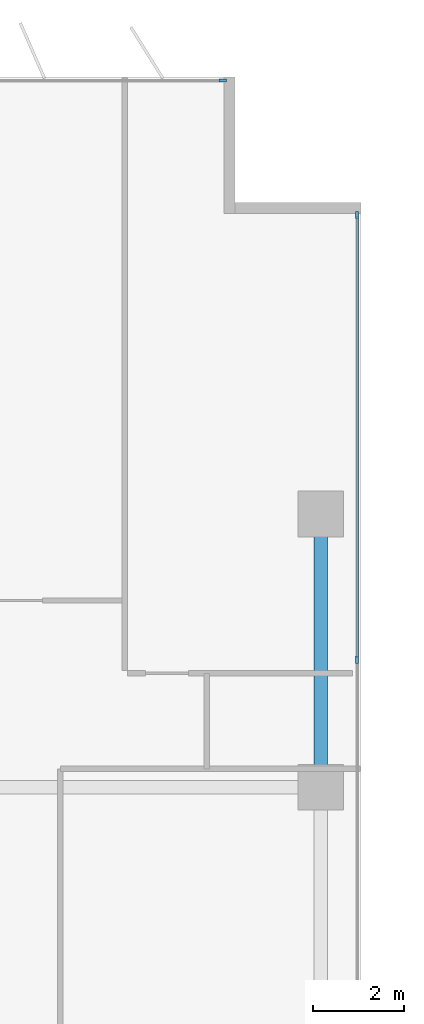
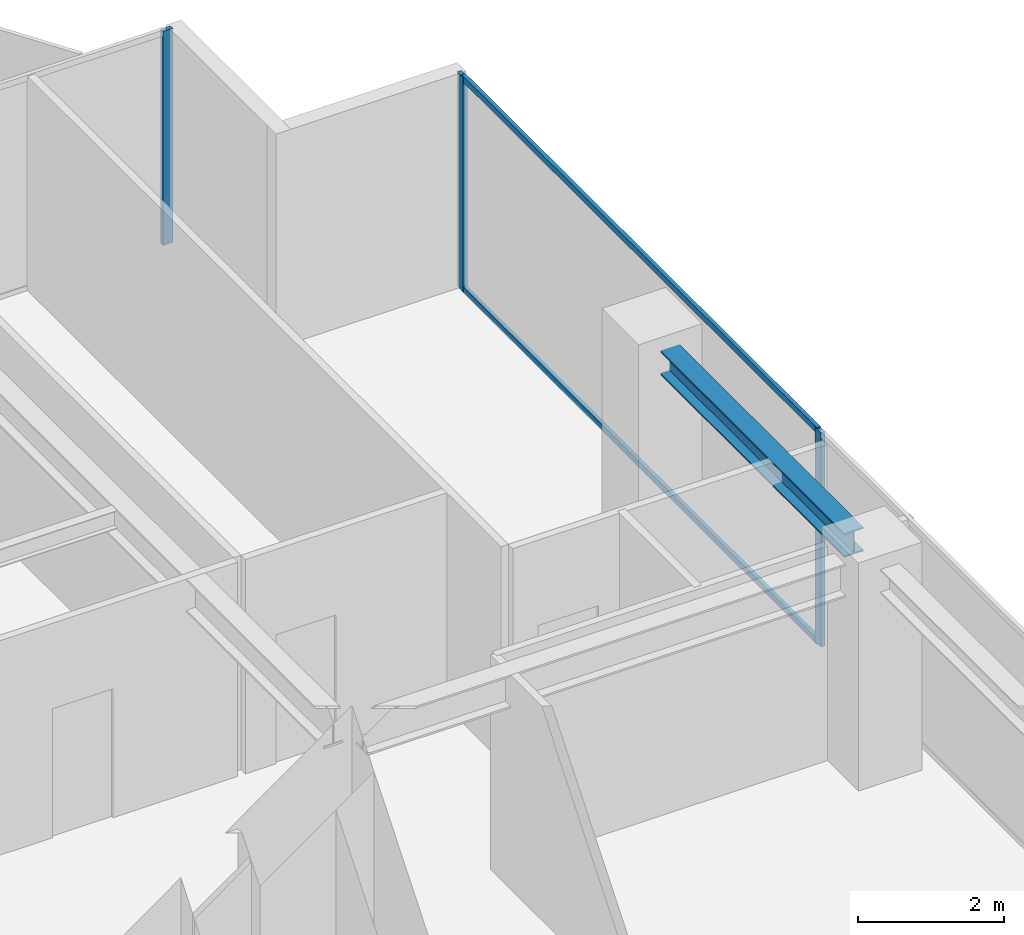
# One storey, part 13 of 22: 5 members, 1 beam, 2 elements without a shape of their own.
"""IFC4 building model written with IfcOpenShell, lengths in metres."""

from ifc_helpers import new_model, si_unit, direction, frame, origin, origin_2d, place, context, subcontext, project, spatial, rectangle, i_section, extrude, material, layer, layer_set, material_profile, profile_set, type_object, element, aggregate, save


model = new_model("IFC4")

# Units and contexts
model_context = context("Model", 3, precision=1e-05, world=origin(), true_north=direction((0.0, 1.0)))
body_context = subcontext(model_context, "Body", "Model", "MODEL_VIEW")
ifc_project = project(units=[si_unit("LENGTHUNIT", "METRE"), si_unit("AREAUNIT", "SQUARE_METRE"), si_unit("VOLUMEUNIT", "CUBIC_METRE"), si_unit("PLANEANGLEUNIT", "RADIAN"), si_unit("MASSUNIT", "GRAM", prefix="KILO")], contexts=[model_context])

# Site, building, storey
site_placement = place(None, origin())
site = spatial("IfcSite", under=ifc_project, at=site_placement, CompositionType="ELEMENT")
building_placement = place(site_placement, origin())
building = spatial("IfcBuilding", under=site, at=building_placement, Name="Putna Gate Headquarters", CompositionType="ELEMENT")
storey_placement = place(building_placement, frame((0.0, 0.0, 186.0)))
storey = spatial("IfcBuildingStorey", under=building, at=storey_placement, Name="L46", CompositionType="ELEMENT", Elevation=186.0)

# Beam
ifc_material_1 = material(Name="Steel S355J2", Category="steel")
ifc_material_profile_1 = material_profile(ifc_material_1, i_section(OverallWidth=0.300048828125, OverallDepth=0.39990234375, WebThickness=0.013427734375, FlangeThickness=0.02392578125, at=origin_2d()), Name="Steel S355J2")
ifc_profile_set_1 = profile_set([ifc_material_profile_1], Name="Steel S355J2")
beam_type = type_object("IfcBeamType", Name="BM-SPAN-Z3-HEB400", PredefinedType="SPANDREL", material=ifc_profile_set_1)
beam_placement = place(storey_placement, frame((73.320068359375, 33.488037109375, 3.3720703125), z_axis=(0.0, 1.0, 0.0), x_axis=(-1.0, 0.0, 0.0)))
element("IfcBeam", 1, at=beam_placement, inside=storey, type_object=beam_type, Name="L46 E End Spandrel 3", PredefinedType="SPANDREL", context=body_context, shape_type="SweptSolid", body=[
    extrude(i_section(OverallWidth=0.300048828125, OverallDepth=0.39990234375, WebThickness=0.013427734375, FlangeThickness=0.02392578125, at=origin_2d()), origin(), (0.0, 0.0, 1.0), 5.02392578125),
])

# Curtain wall, member
ifc_material_2 = material(Name="Anodised bronze aluminium curtain wall", Category="aluminium")
ifc_layer = layer(ifc_material_2, 0.159912109375)
ifc_layer_set = layer_set([ifc_layer], Name="Anodised bronze aluminium curtain wall")
curtain_wall_type = type_object("IfcCurtainWallType", Name="CW-SYS-Z3", PredefinedType="USERDEFINED", material=ifc_layer_set)
curtain_wall_1_placement = place(storey_placement, origin())
curtain_wall_1 = element("IfcCurtainWall", 2, at=curtain_wall_1_placement, inside=storey, type_object=curtain_wall_type, Name="L46 North East Curtain Wall", ObjectType="STICK CURTAIN WALL", PredefinedType="USERDEFINED")
ifc_material_3 = material(Name="Anodised bronze aluminium EN AW-6060", Category="aluminium")
ifc_material_profile_2 = material_profile(ifc_material_3, rectangle(XDim=0.06494140625, YDim=0.159912109375, at=origin_2d()), Name="Anodised bronze aluminium EN AW-6060")
ifc_profile_set_2 = profile_set([ifc_material_profile_2], Name="Anodised bronze aluminium EN AW-6060")
member_type_1 = type_object("IfcMemberType", Name="MULL-CWM-3", PredefinedType="MULLION", material=ifc_profile_set_2)
member_1_placement = place(storey_placement, frame((71.16748046875, 48.52001953125, 0.0), z_axis=(0.0, 0.0, 1.0), x_axis=(0.0, 1.0, 0.0)))
member_1 = element("IfcMember", 3, at=member_1_placement, type_object=member_type_1, Name="CWS-3 mullion 3", PredefinedType="MULLION", context=body_context, shape_type="SweptSolid", body=[
    extrude(rectangle(XDim=0.06494140625, YDim=0.159912109375, at=origin_2d()), origin(), (0.0, 0.0, 1.0), 3.572021484375),
])
aggregate(curtain_wall_1, [member_1])

# Curtain wall, members
curtain_wall_2_placement = place(storey_placement, origin())
curtain_wall_2 = element("IfcCurtainWall", 4, at=curtain_wall_2_placement, inside=storey, type_object=curtain_wall_type, Name="L46 East Curtain Wall", ObjectType="STICK CURTAIN WALL", PredefinedType="USERDEFINED")
member_2_placement = place(storey_placement, frame((74.1201171875, 35.800048828125, 0.0), z_axis=(0.0, 0.0, 1.0), x_axis=(-1.0, 0.0, 0.0)))
member_2 = element("IfcMember", 5, at=member_2_placement, type_object=member_type_1, Name="CWS-3 mullion 4", PredefinedType="MULLION", context=body_context, shape_type="SweptSolid", body=[
    extrude(rectangle(XDim=0.06494140625, YDim=0.159912109375, at=origin_2d()), origin(), (0.0, 0.0, 1.0), 3.572021484375),
])
member_3_placement = place(storey_placement, frame((74.1201171875, 45.5673828125, 0.0), z_axis=(0.0, 0.0, 1.0), x_axis=(-1.0, 0.0, 0.0)))
member_3 = element("IfcMember", 6, at=member_3_placement, type_object=member_type_1, Name="CWS-3 mullion 5", PredefinedType="MULLION", context=body_context, shape_type="SweptSolid", body=[
    extrude(rectangle(XDim=0.06494140625, YDim=0.159912109375, at=origin_2d()), origin(), (0.0, 0.0, 1.0), 3.572021484375),
])
ifc_material_profile_3 = material_profile(ifc_material_3, rectangle(XDim=0.06005859375, YDim=0.10009765625, at=origin_2d()), Name="Anodised bronze aluminium EN AW-6060")
ifc_profile_set_3 = profile_set([ifc_material_profile_3], Name="Anodised bronze aluminium EN AW-6060")
member_type_2 = type_object("IfcMemberType", Name="TRAN-CWT-3", PredefinedType="USERDEFINED", material=ifc_profile_set_3)
member_4_placement = place(storey_placement, frame((74.1201171875, 35.83251953125, 0.030029296875), z_axis=(0.0, 1.0, 0.0), x_axis=(-1.0, 0.0, 0.0)))
member_4 = element("IfcMember", 7, at=member_4_placement, type_object=member_type_2, Name="CWS-3 transom 4.1", ObjectType="TRANSOM", PredefinedType="USERDEFINED", context=body_context, shape_type="SweptSolid", body=[
    extrude(rectangle(XDim=0.06005859375, YDim=0.10009765625, at=origin_2d()), origin(), (0.0, 0.0, 1.0), 9.702392578125),
])
member_5_placement = place(storey_placement, frame((74.1201171875, 35.83251953125, 3.5419921875), z_axis=(0.0, 1.0, 0.0), x_axis=(-1.0, 0.0, 0.0)))
member_5 = element("IfcMember", 8, at=member_5_placement, type_object=member_type_2, Name="CWS-3 transom 4.2", ObjectType="TRANSOM", PredefinedType="USERDEFINED", context=body_context, shape_type="SweptSolid", body=[
    extrude(rectangle(XDim=0.06005859375, YDim=0.10009765625, at=origin_2d()), origin(), (0.0, 0.0, 1.0), 9.702392578125),
])
aggregate(curtain_wall_2, [member_2, member_3, member_4, member_5])

save(model, "model.ifc")
